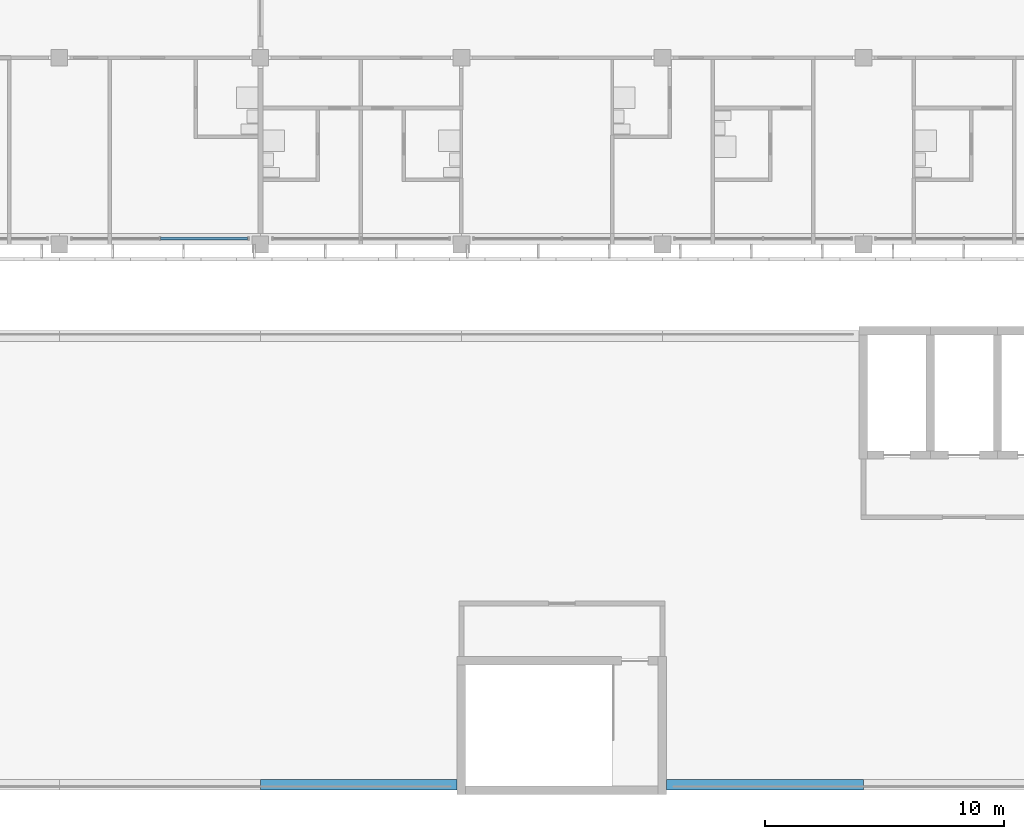
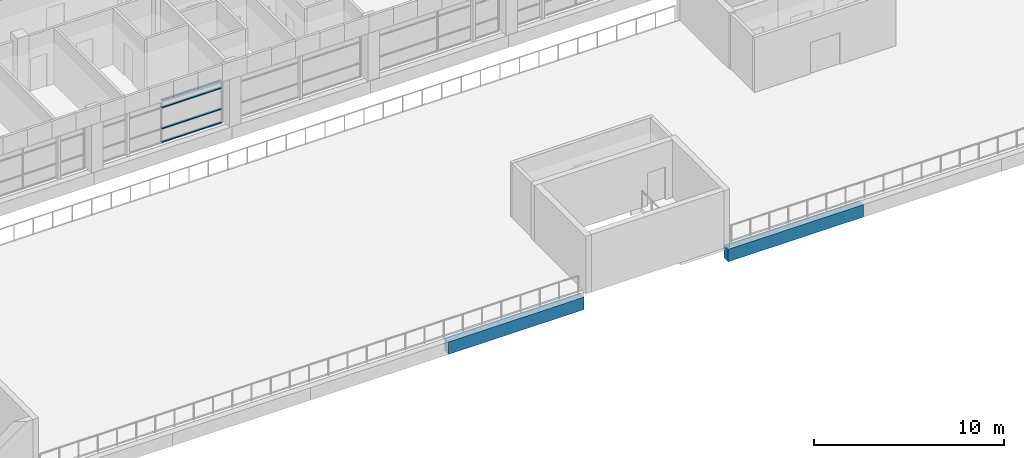
# One storey, part 7 of 46: 4 members, 2 beams, 1 element without a shape of its own.
"""IFC4 building model written with IfcOpenShell, lengths in metres."""

from ifc_helpers import new_model, si_unit, direction, frame, origin, origin_2d, place, context, subcontext, project, spatial, rectangle, extrude, material, material_profile, profile_set, type_object, element, aggregate, save


model = new_model("IFC4")

# Units and contexts
model_context = context("Model", 3, precision=1e-05, world=origin(), true_north=direction((0.0, 1.0)))
body_context = subcontext(model_context, "Body", "Model", "MODEL_VIEW")
ifc_project = project(units=[si_unit("LENGTHUNIT", "METRE"), si_unit("AREAUNIT", "SQUARE_METRE"), si_unit("VOLUMEUNIT", "CUBIC_METRE"), si_unit("PLANEANGLEUNIT", "RADIAN"), si_unit("MASSUNIT", "GRAM", prefix="KILO")], contexts=[model_context])

# Site, building, storey
site_placement = place(None, origin())
site = spatial("IfcSite", under=ifc_project, at=site_placement, CompositionType="ELEMENT")
building_placement = place(site_placement, origin())
building = spatial("IfcBuilding", under=site, at=building_placement, Name="Bougainvillea Quay General Hospital", CompositionType="ELEMENT")
storey_placement = place(building_placement, frame((0.0, 0.0, 28.800048828125)))
storey = spatial("IfcBuildingStorey", under=building, at=storey_placement, Name="L06", CompositionType="ELEMENT", Elevation=28.800048828125)

# Curtain wall, members
ifc_material_1 = material(Name="Aluminium curtain wall system, powder-coated glazed", Category="aluminium")
curtain_wall_type = type_object("IfcCurtainWallType", Name="Unitised curtain wall CW-3730", PredefinedType="NOTDEFINED", material=ifc_material_1)
curtain_wall_placement = place(storey_placement, origin())
curtain_wall = element("IfcCurtainWall", 1, at=curtain_wall_placement, inside=storey, type_object=curtain_wall_type, Name="CW-4200 03", PredefinedType="NOTDEFINED")
ifc_material_2 = material(Name="Aluminium transom, powder-coated charcoal", Category="aluminium")
ifc_material_profile_1 = material_profile(ifc_material_2, rectangle(XDim=0.1201171875, YDim=0.06005859375, at=origin_2d()))
ifc_profile_set_1 = profile_set([ifc_material_profile_1], Name="Aluminium transom, powder-coated charcoal")
member_type = type_object("IfcMemberType", Name="Curtain wall transom 120x60", PredefinedType="USERDEFINED", material=ifc_profile_set_1)
member_1_placement = place(storey_placement, frame((105.030029296875, 140.64990234375, 0.030029296875), z_axis=(1.0, 0.0, 0.0), x_axis=(0.0, 1.0, 0.0)))
member_1 = element("IfcMember", 2, at=member_1_placement, type_object=member_type, Name="CW-4200 transom 2.1", ObjectType="TRANSOM", PredefinedType="USERDEFINED", context=body_context, shape_type="SweptSolid", body=[
    extrude(rectangle(XDim=0.1201171875, YDim=0.06005859375, at=origin_2d()), origin(), (0.0, 0.0, 1.0), 3.639892578125),
])
member_2_placement = place(storey_placement, frame((105.030029296875, 140.64990234375, 0.89990234375), z_axis=(1.0, 0.0, 0.0), x_axis=(0.0, 1.0, 0.0)))
member_2 = element("IfcMember", 3, at=member_2_placement, type_object=member_type, Name="CW-4200 transom 2.2", ObjectType="TRANSOM", PredefinedType="USERDEFINED", context=body_context, shape_type="SweptSolid", body=[
    extrude(rectangle(XDim=0.1201171875, YDim=0.06005859375, at=origin_2d()), origin(), (0.0, 0.0, 1.0), 3.639892578125),
])
member_3_placement = place(storey_placement, frame((105.030029296875, 140.64990234375, 2.25), z_axis=(1.0, 0.0, 0.0), x_axis=(0.0, 1.0, 0.0)))
member_3 = element("IfcMember", 4, at=member_3_placement, type_object=member_type, Name="CW-4200 transom 2.3", ObjectType="TRANSOM", PredefinedType="USERDEFINED", context=body_context, shape_type="SweptSolid", body=[
    extrude(rectangle(XDim=0.1201171875, YDim=0.06005859375, at=origin_2d()), origin(), (0.0, 0.0, 1.0), 3.639892578125),
])
member_4_placement = place(storey_placement, frame((105.030029296875, 140.64990234375, 2.719970703125), z_axis=(1.0, 0.0, 0.0), x_axis=(0.0, 1.0, 0.0)))
member_4 = element("IfcMember", 5, at=member_4_placement, type_object=member_type, Name="CW-4200 transom 2.4", ObjectType="TRANSOM", PredefinedType="USERDEFINED", context=body_context, shape_type="SweptSolid", body=[
    extrude(rectangle(XDim=0.1201171875, YDim=0.06005859375, at=origin_2d()), origin(), (0.0, 0.0, 1.0), 3.639892578125),
])
aggregate(curtain_wall, [member_1, member_2, member_3, member_4])

# Beams
ifc_material_3 = material(Name="Concrete C40", Category="concrete")
ifc_material_profile_2 = material_profile(ifc_material_3, rectangle(XDim=0.449951171875, YDim=0.800048828125, at=origin_2d()))
ifc_profile_set_2 = profile_set([ifc_material_profile_2], Name="Concrete C40")
beam_type = type_object("IfcBeamType", Name="RC BEAM 450x800 C40", PredefinedType="BEAM", material=ifc_profile_set_2)
beam_1_placement = place(storey_placement, frame((109.199951171875, 117.824951171875, -0.699951171875), z_axis=(1.0, 0.0, 0.0), x_axis=(0.0, 1.0, 0.0)))
element("IfcBeam", 6, at=beam_1_placement, inside=storey, type_object=beam_type, Name="Edge beam L06", PredefinedType="BEAM", context=body_context, shape_type="SweptSolid", body=[
    extrude(rectangle(XDim=0.449951171875, YDim=0.800048828125, at=origin_2d()), origin(), (0.0, 0.0, 1.0), 8.22509765625),
])
beam_2_placement = place(storey_placement, frame((126.175048828125, 117.824951171875, -0.699951171875), z_axis=(1.0, 0.0, 0.0), x_axis=(0.0, 1.0, 0.0)))
element("IfcBeam", 7, at=beam_2_placement, inside=storey, type_object=beam_type, Name="Edge beam L06", PredefinedType="BEAM", context=body_context, shape_type="SweptSolid", body=[
    extrude(rectangle(XDim=0.449951171875, YDim=0.800048828125, at=origin_2d()), origin(), (0.0, 0.0, 1.0), 8.224853515625),
])

save(model, "model.ifc")
